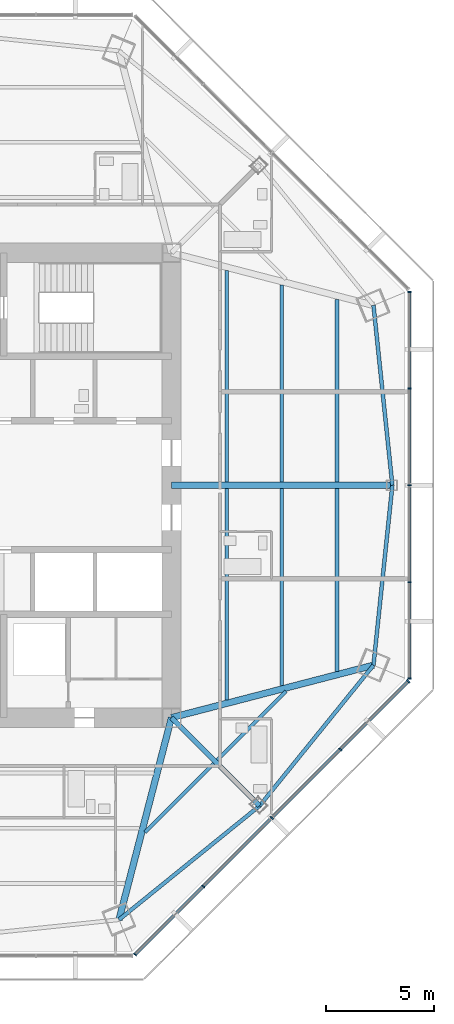
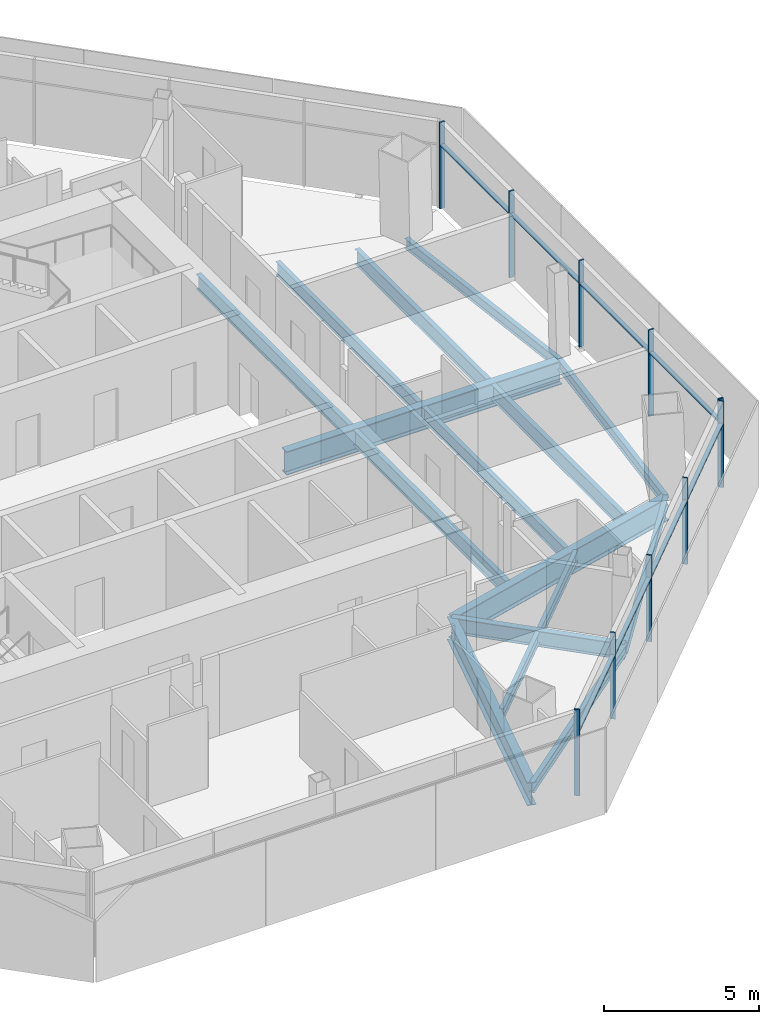
# One storey, part 4 of 16: 18 members, 16 beams, 2 elements without a shape of their own.
"""IFC4 building model written with IfcOpenShell, lengths in metres."""

import ifcopenshell
import ifcopenshell.guid

model = None  # the IFC model being written
_history = None  # IfcOwnerHistory: only IFC2X3 demands one
_inside = {}  # id of a spatial element -> (the spatial element, [elements in it])
_under = {}  # id of a project, library or spatial element -> (it, [spatial elements below it])
_declared = {}  # id of a project -> (the project, [libraries it declares])
_typed = {}  # id of a type object -> (the type object, [elements of that type])
_made_of = {}  # id of a material, layer set ... -> (it, [elements and type objects made of it])


def new_model(schema):
    """Start an empty IFC model of exactly this schema.

    Asked for "IFC4X3", IfcOpenShell would pick the latest addendum, in which some entities
    have other attributes; the version numbers below select the first issue.
    IFC2X3 requires an IfcOwnerHistory on every rooted entity: one is made here for all.
    """
    global model, _history
    if schema == "IFC4X3":
        model = ifcopenshell.file(schema_version=(4, 3, 0, 0))
    else:
        model = ifcopenshell.file(schema=schema)
    _inside.clear()
    _under.clear()
    _declared.clear()
    _typed.clear()
    _made_of.clear()
    _history = None
    if model.schema == "IFC2X3":
        org = make("IfcOrganization", Name="unknown")
        user = make(
            "IfcPersonAndOrganization",
            ThePerson=make("IfcPerson", FamilyName="unknown"),
            TheOrganization=org,
        )
        app = make(
            "IfcApplication",
            ApplicationDeveloper=org,
            Version="unknown",
            ApplicationFullName="unknown",
            ApplicationIdentifier="unknown",
        )
        _history = make(
            "IfcOwnerHistory",
            OwningUser=user,
            OwningApplication=app,
            ChangeAction="ADDED",
            CreationDate=0,
        )
    return model


def make(cls, **values):
    """One entity of the class cls with the attributes given. An attribute that is None is left unset."""
    return model.create_entity(
        cls, **{name: value for name, value in values.items() if value is not None}
    )


def rooted(cls, **values):
    """An entity with a GlobalId (a new one), such as an element, a storey or a relation."""
    return make(cls, GlobalId=ifcopenshell.guid.new(), OwnerHistory=_history, **values)


def si_unit(unit_type, name, prefix=None):
    """IfcSIUnit, for example si_unit("LENGTHUNIT", "METRE", prefix="MILLI")."""
    return make("IfcSIUnit", UnitType=unit_type, Prefix=prefix, Name=name)


def assignment(units):
    """IfcUnitAssignment: the units of a project."""
    return None if units is None else make("IfcUnitAssignment", Units=units)


def point(xyz):
    """IfcCartesianPoint."""
    return None if xyz is None else make("IfcCartesianPoint", Coordinates=xyz)


def direction(xyz):
    """IfcDirection."""
    return None if xyz is None else make("IfcDirection", DirectionRatios=xyz)


def frame(location, z_axis=None, x_axis=None):
    """IfcAxis2Placement3D, a coordinate frame: its origin and axes. An axis left out is left unset."""
    return make(
        "IfcAxis2Placement3D",
        Location=point(location),
        Axis=direction(z_axis),
        RefDirection=direction(x_axis),
    )


def frame_2d(location, x_axis=None):
    """IfcAxis2Placement2D, a coordinate frame in the plane: its origin and x axis."""
    return make(
        "IfcAxis2Placement2D", Location=point(location), RefDirection=direction(x_axis)
    )


def origin():
    """The frame at (0, 0, 0) with its axes left unset."""
    return frame((0.0, 0.0, 0.0))


def origin_2d():
    """The frame at (0, 0) in the plane with its x axis left unset."""
    return frame_2d((0.0, 0.0))


def place(relative_to, where):
    """IfcLocalPlacement: puts the frame where relative to a parent placement (None: the world)."""
    return make(
        "IfcLocalPlacement", PlacementRelTo=relative_to, RelativePlacement=where
    )


def context(
    kind, dimensions, precision=None, world=None, true_north=None, identifier=None
):
    """IfcGeometricRepresentationContext, for example the 3D "Model" context."""
    return make(
        "IfcGeometricRepresentationContext",
        ContextIdentifier=identifier,
        ContextType=kind,
        CoordinateSpaceDimension=dimensions,
        Precision=precision,
        WorldCoordinateSystem=world,
        TrueNorth=true_north,
    )


def subcontext(parent, identifier, kind, view, scale=None):
    """IfcGeometricRepresentationSubContext, for example "Body" below "Model"."""
    return make(
        "IfcGeometricRepresentationSubContext",
        ContextIdentifier=identifier,
        ContextType=kind,
        ParentContext=parent,
        TargetScale=scale,
        TargetView=view,
    )


def project(units=None, contexts=None):
    """IfcProject with its units and contexts."""
    return rooted(
        "IfcProject",
        Name="project",
        RepresentationContexts=contexts,
        UnitsInContext=assignment(units),
    )


def spatial(cls, under=None, at=None, **own):
    """A site, building, storey or space (cls), placed at a placement, below another one or the project."""
    s = rooted(cls, ObjectPlacement=at, **own)
    if under is not None:
        _under.setdefault(under.id(), (under, []))[1].append(s)
    return s


def profile(cls, at=None, kind="AREA", **sizes):
    """A parametric profile (cls). Its sizes go by their IFC names, for example OverallWidth=200.0."""
    return make(cls, ProfileType=kind, Position=at, **sizes)


def rectangle(**sizes):
    """IfcRectangleProfileDef."""
    return profile("IfcRectangleProfileDef", **sizes)


def i_section(**sizes):
    """IfcIShapeProfileDef."""
    return profile("IfcIShapeProfileDef", **sizes)


def extrude(swept, where, along, depth):
    """IfcExtrudedAreaSolid: the profile swept, set in the frame where, extruded along a direction by depth."""
    return make(
        "IfcExtrudedAreaSolid",
        SweptArea=swept,
        Position=where,
        ExtrudedDirection=direction(along),
        Depth=depth,
    )


def shape(context_of_items, identifier, shape_type, items):
    """IfcShapeRepresentation: the items that make up one representation, for example the "Body"."""
    return make(
        "IfcShapeRepresentation",
        ContextOfItems=context_of_items,
        RepresentationIdentifier=identifier,
        RepresentationType=shape_type,
        Items=items,
    )


def source(mapping_origin, context_of_items, identifier, shape_type, items):
    """IfcRepresentationMap: a shape defined once, which mapped items show again and again."""
    return make(
        "IfcRepresentationMap",
        MappingOrigin=mapping_origin,
        MappedRepresentation=shape(context_of_items, identifier, shape_type, items),
    )


def transform(
    local_origin,
    x_axis=None,
    y_axis=None,
    z_axis=None,
    scale=None,
    scale2=None,
    scale3=None,
    uniform=True,
):
    """IfcCartesianTransformationOperator3D, or its non-uniform kind. x_axis, y_axis, z_axis: its Axis1, 2, 3."""
    if uniform:
        return make(
            "IfcCartesianTransformationOperator3D",
            Axis1=direction(x_axis),
            Axis2=direction(y_axis),
            LocalOrigin=point(local_origin),
            Scale=scale,
            Axis3=direction(z_axis),
        )
    return make(
        "IfcCartesianTransformationOperator3DnonUniform",
        Axis1=direction(x_axis),
        Axis2=direction(y_axis),
        LocalOrigin=point(local_origin),
        Scale=scale,
        Axis3=direction(z_axis),
        Scale2=scale2,
        Scale3=scale3,
    )


def mapped(mapping_source, mapping_target):
    """IfcMappedItem: shows the shape of a source again, moved by a transform."""
    return make(
        "IfcMappedItem", MappingSource=mapping_source, MappingTarget=mapping_target
    )


def material(Name=None, Category=None):
    """IfcMaterial."""
    return make("IfcMaterial", Name=Name, Category=Category)


def material_profile(
    of_material, cross_section, Name=None, Category=None, Priority=None
):
    """IfcMaterialProfile: a cross section and its material."""
    return make(
        "IfcMaterialProfile",
        Name=Name,
        Material=of_material,
        Profile=cross_section,
        Priority=Priority,
        Category=Category,
    )


def profile_set(profiles, Name=None, composite=None):
    """IfcMaterialProfileSet."""
    return make(
        "IfcMaterialProfileSet",
        Name=Name,
        MaterialProfiles=profiles,
        CompositeProfile=composite,
    )


def made_of(thing, what):
    """Note that an element or type object is made of a material, layer set ...; save() writes the relation."""
    if what is not None:
        _made_of.setdefault(what.id(), (what, []))[1].append(thing)
    return thing


def type_object(cls, material=None, **own):
    """A type object (cls), such as IfcWallType, which elements share."""
    return made_of(rooted(cls, **own), material)


def type_shapes(of_type, sources):
    """Give a type object the sources (RepresentationMaps) that its elements show as mapped items."""
    of_type.RepresentationMaps = sources


def element(
    cls,
    number,
    at=None,
    inside=None,
    cuts=None,
    type_object=None,
    material=None,
    context=None,
    identifier="Body",
    shape_type=None,
    held_by="IfcProductDefinitionShape",
    body=None,
    shapes=None,
    **own,
):
    """One element of the class cls, such as IfcWall. Its Tag is "e" and its number.

    at: its placement. inside: the storey or other place that contains it. cuts: it is an
    opening in that element (IfcRelVoidsElement). A single representation is given by context,
    identifier, shape_type and body (its items); several are given by shapes. held_by: the class
    of the entity that holds the representations. save() writes the other relations.
    """
    e = rooted(cls, Tag="e%d" % number, ObjectPlacement=at, **own)
    if body is not None:
        shapes = [shape(context, identifier, shape_type, body)]
    if shapes is not None:
        e.Representation = make(held_by, Representations=shapes)
    if inside is not None:
        _inside.setdefault(inside.id(), (inside, []))[1].append(e)
    if cuts is not None:
        rooted(
            "IfcRelVoidsElement", RelatingBuildingElement=cuts, RelatedOpeningElement=e
        )
    if type_object is not None:
        _typed.setdefault(type_object.id(), (type_object, []))[1].append(e)
    return made_of(e, material)


def aggregate(whole, parts):
    """IfcRelAggregates: a whole, such as a stair, and the parts it consists of."""
    return rooted("IfcRelAggregates", RelatingObject=whole, RelatedObjects=parts)


def save(model, path):
    """Write the relations noted so far, then the file.

    IfcRelAggregates (storeys below a building ...), IfcRelContainedInSpatialStructure (elements
    in a storey), IfcRelDefinesByType, IfcRelAssociatesMaterial and IfcRelDeclares: one each for
    every whole, place, type object, material and project.
    """
    for whole, parts in _under.values():
        aggregate(whole, parts)
    for where, things in _inside.values():
        rooted(
            "IfcRelContainedInSpatialStructure",
            RelatedElements=things,
            RelatingStructure=where,
        )
    for kind, things in _typed.values():
        rooted("IfcRelDefinesByType", RelatedObjects=things, RelatingType=kind)
    for what, things in _made_of.values():
        rooted("IfcRelAssociatesMaterial", RelatedObjects=things, RelatingMaterial=what)
    for by, libraries in _declared.values():
        rooted("IfcRelDeclares", RelatingContext=by, RelatedDefinitions=libraries)
    model.write(path)


model = new_model("IFC4")

# Units and contexts
model_context = context("Model", 3, precision=1e-05, world=origin(), true_north=direction((0.0, 1.0)))
body_context = subcontext(model_context, "Body", "Model", "MODEL_VIEW")
ifc_project = project(units=[si_unit("LENGTHUNIT", "METRE"), si_unit("AREAUNIT", "SQUARE_METRE"), si_unit("VOLUMEUNIT", "CUBIC_METRE"), si_unit("PLANEANGLEUNIT", "RADIAN"), si_unit("MASSUNIT", "GRAM", prefix="KILO")], contexts=[model_context])

# Site, building, storey
site_placement = place(None, origin())
site = spatial("IfcSite", under=ifc_project, at=site_placement, CompositionType="ELEMENT")
building_placement = place(site_placement, origin())
building = spatial("IfcBuilding", under=site, at=building_placement, Name="Mashrafa Tower", CompositionType="ELEMENT")
storey_placement = place(building_placement, frame((0.0, 0.0, 217.60009765625)))
storey = spatial("IfcBuildingStorey", under=building, at=storey_placement, Name="L50", CompositionType="ELEMENT", Elevation=217.60009765625)

# Beams
ifc_material_1 = material(Name="Steel ASTM A992", Category="steel")
ifc_material_profile_1 = material_profile(ifc_material_1, i_section(OverallWidth=0.177734375, OverallDepth=0.406494140625, WebThickness=0.0078125, FlangeThickness=0.012939453125, FilletRadius=0.01025390625, at=origin_2d()), Name="W16X40")
ifc_profile_set_1 = profile_set([ifc_material_profile_1], Name="Steel ASTM A992")
beam_type_1 = type_object("IfcBeamType", Name="Beam W16X40", PredefinedType="BEAM", material=ifc_profile_set_1)
for number, where, z_axis, x_axis, name in (
    (1, (8.361572265625, -20.1865234375, -0.4033203125), (0.777098105922, 0.62937948312, 0.0), (-0.62937948312, 0.777098105922, 0.0), "Spandrel beam L50 058"),
    (2, (14.89501953125, -14.89501953125, -0.4033203125), (0.62937948312, 0.777098105922, 0.0), (-0.777098105922, 0.62937948312, 0.0), "Spandrel beam L50 060"),
    (3, (20.1865234375, -8.361572265625, -0.4033203125), (0.104450486912, 0.994530087923, 0.0), (-0.994530087923, 0.104450486912, 0.0), "Spandrel beam L50 062"),
    (4, (21.064697265625, 0.0, -0.4033203125), (-0.104450486912, 0.994530087923, 0.0), (-0.994530087923, -0.104450486912, 0.0), "Spandrel beam L50 064"),
):
    element("IfcBeam", number, at=place(storey_placement, frame(where, z_axis=z_axis, x_axis=x_axis)), inside=storey, type_object=beam_type_1, Name=name, PredefinedType="BEAM", context=body_context, shape_type="SweptSolid", body=[
        extrude(i_section(OverallWidth=0.177734375, OverallDepth=0.406494140625, WebThickness=0.0078125, FlangeThickness=0.012939453125, FilletRadius=0.01025390625, at=origin_2d()), origin(), (0.0, 0.0, 1.0), 8.407470703125),
    ])
ifc_material_2 = material(Name="Steel ASTM A992", Category="steel")
ifc_material_profile_2 = material_profile(ifc_material_2, i_section(OverallWidth=0.15234375, OverallDepth=0.449462890625, WebThickness=0.007568359375, FlangeThickness=0.0107421875, FilletRadius=0.01025390625, at=origin_2d()), Name="W18X35")
ifc_profile_set_2 = profile_set([ifc_material_profile_2], Name="Steel ASTM A992")
beam_type_2 = type_object("IfcBeamType", Name="Beam W18X35", PredefinedType="BEAM", material=ifc_profile_set_2)
for number, where, z_axis, x_axis, name in (
    (5, (12.7666015625, -12.928466796875, -0.4248046875), (-0.707106781187, -0.707106781187, 0.0), (0.707106781187, -0.707106781187, 0.0), "Floor beam L50 024"),
    (6, (16.119384765625, -9.57568359375, -0.4248046875), (-0.707106781187, -0.707106781187, 0.0), (0.707106781187, -0.707106781187, 0.0), "Floor beam L50 030"),
):
    element("IfcBeam", number, at=place(storey_placement, frame(where, z_axis=z_axis, x_axis=x_axis)), inside=storey, type_object=beam_type_2, Name=name, PredefinedType="BEAM", context=body_context, shape_type="SweptSolid", body=[
        extrude(i_section(OverallWidth=0.15234375, OverallDepth=0.449462890625, WebThickness=0.007568359375, FlangeThickness=0.0107421875, FilletRadius=0.01025390625, at=origin_2d()), origin(), (0.0, 0.0, 1.0), 4.5126953125),
    ])
ifc_material_3 = material(Name="Steel ASTM A992", Category="steel")
ifc_material_profile_3 = material_profile(ifc_material_3, i_section(OverallWidth=0.1650390625, OverallDepth=0.52587890625, WebThickness=0.0087890625, FlangeThickness=0.011474609375, FilletRadius=0.0126953125, at=origin_2d()), Name="W21X44")
ifc_profile_set_3 = profile_set([ifc_material_profile_3], Name="Steel ASTM A992")
beam_type_3 = type_object("IfcBeamType", Name="Beam W21X44", PredefinedType="BEAM", material=ifc_profile_set_3)
for number, where, z_axis, x_axis, name in (
    (7, (15.932373046875, -0.15380859375, -0.462890625), (0.0, -1.0, 0.0), (1.0, 0.0, 0.0), "Floor beam L50 028"),
    (8, (15.932373046875, 9.30908203125, -0.462890625), (0.0, -1.0, 0.0), (1.0, 0.0, 0.0), "Floor beam L50 029"),
):
    element("IfcBeam", number, at=place(storey_placement, frame(where, z_axis=z_axis, x_axis=x_axis)), inside=storey, type_object=beam_type_3, Name=name, PredefinedType="BEAM", context=body_context, shape_type="SweptSolid", body=[
        extrude(i_section(OverallWidth=0.1650390625, OverallDepth=0.52587890625, WebThickness=0.0087890625, FlangeThickness=0.011474609375, FilletRadius=0.0126953125, at=origin_2d()), origin(), (0.0, 0.0, 1.0), 9.1552734375),
    ])
ifc_material_4 = material(Name="Steel ASTM A992", Category="steel")
ifc_material_profile_4 = material_profile(ifc_material_4, i_section(OverallWidth=0.177978515625, OverallDepth=0.599365234375, WebThickness=0.010009765625, FlangeThickness=0.012939453125, FilletRadius=0.012939453125, at=origin_2d()), Name="W24X55")
ifc_profile_set_4 = profile_set([ifc_material_profile_4], Name="Steel ASTM A992")
beam_type_4 = type_object("IfcBeamType", Name="Beam W24X55", PredefinedType="BEAM", material=ifc_profile_set_4)
for number, where, z_axis, x_axis, name in (
    (9, (13.3662109375, -0.15380859375, -0.499755859375), (0.0, -1.0, 0.0), (1.0, 0.0, 0.0), "Floor beam L50 026"),
    (10, (13.3662109375, 9.975830078125, -0.499755859375), (0.0, -1.0, 0.0), (1.0, 0.0, 0.0), "Floor beam L50 027"),
):
    element("IfcBeam", number, at=place(storey_placement, frame(where, z_axis=z_axis, x_axis=x_axis)), inside=storey, type_object=beam_type_4, Name=name, PredefinedType="BEAM", context=body_context, shape_type="SweptSolid", body=[
        extrude(i_section(OverallWidth=0.177978515625, OverallDepth=0.599365234375, WebThickness=0.010009765625, FlangeThickness=0.012939453125, FilletRadius=0.012939453125, at=origin_2d()), origin(), (0.0, 0.0, 1.0), 9.822021484375),
    ])
for number, where, z_axis, x_axis, name in (
    (11, (18.49853515625, -0.15380859375, -0.499755859375), (0.0, -1.0, 0.0), (1.0, 0.0, 0.0), "Floor beam L50 031"),
    (12, (18.49853515625, 8.642578125, -0.499755859375), (0.0, -1.0, 0.0), (1.0, 0.0, 0.0), "Floor beam L50 032"),
):
    element("IfcBeam", number, at=place(storey_placement, frame(where, z_axis=z_axis, x_axis=x_axis)), inside=storey, type_object=beam_type_4, Name=name, PredefinedType="BEAM", context=body_context, shape_type="SweptSolid", body=[
        extrude(i_section(OverallWidth=0.177978515625, OverallDepth=0.599365234375, WebThickness=0.010009765625, FlangeThickness=0.012939453125, FilletRadius=0.012939453125, at=origin_2d()), origin(), (0.0, 0.0, 1.0), 8.48876953125),
    ])
ifc_material_5 = material(Name="Steel ASTM A992", Category="steel")
ifc_material_profile_5 = material_profile(ifc_material_5, i_section(OverallWidth=0.22900390625, OverallDepth=0.612060546875, WebThickness=0.011962890625, FlangeThickness=0.01953125, FilletRadius=0.0126953125, at=origin_2d()), Name="W24X84")
ifc_profile_set_5 = profile_set([ifc_material_profile_5], Name="Steel ASTM A992")
beam_type_5 = type_object("IfcBeamType", Name="Beam W24X84", PredefinedType="BEAM", material=ifc_profile_set_5)
beam_1_placement = place(storey_placement, frame((10.800048828125, -10.800048828125, -0.506103515625), z_axis=(0.707106781187, -0.707106781187, 0.0), x_axis=(0.707106781187, 0.707106781187, 0.0)))
element("IfcBeam", 13, at=beam_1_placement, inside=storey, type_object=beam_type_5, Name="Radial girder L50 043", PredefinedType="BEAM", context=body_context, shape_type="SweptSolid", body=[
    extrude(i_section(OverallWidth=0.22900390625, OverallDepth=0.612060546875, WebThickness=0.011962890625, FlangeThickness=0.01953125, FilletRadius=0.0126953125, at=origin_2d()), origin(), (0.0, 0.0, 1.0), 5.791259765625),
])
ifc_material_6 = material(Name="Steel ASTM A992", Category="steel")
ifc_material_profile_6 = material_profile(ifc_material_6, i_section(OverallWidth=0.3046875, OverallDepth=0.911865234375, WebThickness=0.015869140625, FlangeThickness=0.02392578125, FilletRadius=0.01904296875, at=origin_2d()), Name="W36X150")
ifc_profile_set_6 = profile_set([ifc_material_profile_6], Name="Steel ASTM A992")
beam_type_6 = type_object("IfcBeamType", Name="Beam W36X150", PredefinedType="BEAM", material=ifc_profile_set_6)
for number, where, z_axis, x_axis, name in (
    (14, (10.800048828125, -10.800048828125, -0.656005859375), (-0.251440017557, -0.967872882961, 0.0), (0.967872882961, -0.251440017557, 0.0), "Radial girder L50 042"),
    (15, (10.800048828125, -10.800048828125, -0.656005859375), (0.967872882961, 0.251440017557, 0.0), (-0.251440017557, 0.967872882961, 0.0), "Radial girder L50 044"),
):
    element("IfcBeam", number, at=place(storey_placement, frame(where, z_axis=z_axis, x_axis=x_axis)), inside=storey, type_object=beam_type_6, Name=name, PredefinedType="BEAM", context=body_context, shape_type="SweptSolid", body=[
        extrude(i_section(OverallWidth=0.3046875, OverallDepth=0.911865234375, WebThickness=0.015869140625, FlangeThickness=0.02392578125, FilletRadius=0.01904296875, at=origin_2d()), origin(), (0.0, 0.0, 1.0), 9.697998046875),
    ])
ifc_material_7 = material(Name="Steel ASTM A992", Category="steel")
ifc_material_profile_7 = material_profile(ifc_material_7, i_section(OverallWidth=0.307373046875, OverallDepth=0.927001953125, WebThickness=0.01953125, FlangeThickness=0.031982421875, FilletRadius=0.01904296875, at=origin_2d()), Name="W36X194")
ifc_profile_set_7 = profile_set([ifc_material_profile_7], Name="Steel ASTM A992")
beam_type_7 = type_object("IfcBeamType", Name="Beam W36X194", PredefinedType="BEAM", material=ifc_profile_set_7)
beam_2_placement = place(storey_placement, frame((10.800048828125, 0.0, -0.66357421875), z_axis=(1.0, 0.0, 0.0), x_axis=(0.0, 1.0, 0.0)))
element("IfcBeam", 16, at=beam_2_placement, inside=storey, type_object=beam_type_7, Name="Radial girder L50 045", PredefinedType="BEAM", context=body_context, shape_type="SweptSolid", body=[
    extrude(i_section(OverallWidth=0.307373046875, OverallDepth=0.927001953125, WebThickness=0.01953125, FlangeThickness=0.031982421875, FilletRadius=0.01904296875, at=origin_2d()), origin(), (0.0, 0.0, 1.0), 10.2646484375),
])

# Curtain wall, members
ifc_material_8 = material(Name="Unitised aluminium curtain wall", Category="aluminium")
curtain_wall_type = type_object("IfcCurtainWallType", Name="Apartment curtain wall, zone 3 CW-C 180 deep", PredefinedType="NOTDEFINED", material=ifc_material_8)
curtain_wall_1_placement = place(storey_placement, origin())
curtain_wall_1 = element("IfcCurtainWall", 17, at=curtain_wall_1_placement, inside=storey, type_object=curtain_wall_type, Name="Apartment curtain wall, zone 3 L50 east", PredefinedType="NOTDEFINED")
ifc_material_9 = material(Name="Extruded aluminium mullion", Category="aluminium")
ifc_material_profile_8 = material_profile(ifc_material_9, rectangle(XDim=0.179931640625, YDim=0.06005859375, at=origin_2d()), Name="Mullion 60x180")
ifc_profile_set_8 = profile_set([ifc_material_profile_8], Name="Extruded aluminium mullion")
member_type_1 = type_object("IfcMemberType", Name="Mullion CW-C 60 x 180", PredefinedType="MULLION", material=ifc_profile_set_8)
shared_shape_1 = source(origin(), body_context, "Body", "SweptSolid", [
    extrude(rectangle(XDim=0.179931640625, YDim=0.06005859375, at=origin_2d()), origin(), (0.0, 0.0, 1.0), 3.39990234375),
])
type_shapes(member_type_1, [shared_shape_1])
member_1_placement = place(storey_placement, frame((21.859130859375, -8.97705078125, 0.0), z_axis=(0.0, 0.0, 1.0), x_axis=(-1.0, 0.0, 0.0)))
member_1 = element("IfcMember", 18, at=member_1_placement, type_object=member_type_1, Name="CW-C mullion 1", PredefinedType="MULLION", context=body_context, shape_type="MappedRepresentation", body=[
    mapped(shared_shape_1, transform((0.0, 0.0, 0.0))),
])
member_2_placement = place(storey_placement, frame((21.859130859375, -4.50341796875, 0.0), z_axis=(0.0, 0.0, 1.0), x_axis=(-1.0, 0.0, 0.0)))
member_2 = element("IfcMember", 19, at=member_2_placement, type_object=member_type_1, Name="CW-C mullion 2", PredefinedType="MULLION", context=body_context, shape_type="MappedRepresentation", body=[
    mapped(shared_shape_1, transform((0.0, 0.0, 0.0))),
])
member_3_placement = place(storey_placement, frame((21.859130859375, 0.0, 0.0), z_axis=(0.0, 0.0, 1.0), x_axis=(-1.0, 0.0, 0.0)))
member_3 = element("IfcMember", 20, at=member_3_placement, type_object=member_type_1, Name="CW-C mullion 3", PredefinedType="MULLION", context=body_context, shape_type="MappedRepresentation", body=[
    mapped(shared_shape_1, transform((0.0, 0.0, 0.0))),
])
member_4_placement = place(storey_placement, frame((21.859130859375, 4.50341796875, 0.0), z_axis=(0.0, 0.0, 1.0), x_axis=(-1.0, 0.0, 0.0)))
member_4 = element("IfcMember", 21, at=member_4_placement, type_object=member_type_1, Name="CW-C mullion 4", PredefinedType="MULLION", context=body_context, shape_type="MappedRepresentation", body=[
    mapped(shared_shape_1, transform((0.0, 0.0, 0.0))),
])
member_5_placement = place(storey_placement, frame((21.859130859375, 8.97705078125, 0.0), z_axis=(0.0, 0.0, 1.0), x_axis=(-1.0, 0.0, 0.0)))
member_5 = element("IfcMember", 22, at=member_5_placement, type_object=member_type_1, Name="CW-C mullion 5", PredefinedType="MULLION", context=body_context, shape_type="MappedRepresentation", body=[
    mapped(shared_shape_1, transform((0.0, 0.0, 0.0))),
])

curtain_wall_2_placement = place(storey_placement, origin())
curtain_wall_2 = element("IfcCurtainWall", 23, at=curtain_wall_2_placement, inside=storey, type_object=curtain_wall_type, Name="Apartment curtain wall, zone 3 L50 south-east", PredefinedType="NOTDEFINED")
member_6_placement = place(storey_placement, frame((9.10888671875, -21.804443359375, 0.0), z_axis=(0.0, 0.0, 1.0), x_axis=(-0.707106781187, 0.707106781187, 0.0)))
member_6 = element("IfcMember", 24, at=member_6_placement, type_object=member_type_1, Name="CW-C mullion 1", PredefinedType="MULLION", context=body_context, shape_type="MappedRepresentation", body=[
    mapped(shared_shape_1, transform((0.0, 0.0, 0.0))),
])
member_7_placement = place(storey_placement, frame((12.272216796875, -18.64111328125, 0.0), z_axis=(0.0, 0.0, 1.0), x_axis=(-0.707106781187, 0.707106781187, 0.0)))
member_7 = element("IfcMember", 25, at=member_7_placement, type_object=member_type_1, Name="CW-C mullion 2", PredefinedType="MULLION", context=body_context, shape_type="MappedRepresentation", body=[
    mapped(shared_shape_1, transform((0.0, 0.0, 0.0))),
])
member_8_placement = place(storey_placement, frame((15.456787109375, -15.456787109375, 0.0), z_axis=(0.0, 0.0, 1.0), x_axis=(-0.707106781187, 0.707106781187, 0.0)))
member_8 = element("IfcMember", 26, at=member_8_placement, type_object=member_type_1, Name="CW-C mullion 3", PredefinedType="MULLION", context=body_context, shape_type="MappedRepresentation", body=[
    mapped(shared_shape_1, transform((0.0, 0.0, 0.0))),
])
member_9_placement = place(storey_placement, frame((18.64111328125, -12.272216796875, 0.0), z_axis=(0.0, 0.0, 1.0), x_axis=(-0.707106781187, 0.707106781187, 0.0)))
member_9 = element("IfcMember", 27, at=member_9_placement, type_object=member_type_1, Name="CW-C mullion 4", PredefinedType="MULLION", context=body_context, shape_type="MappedRepresentation", body=[
    mapped(shared_shape_1, transform((0.0, 0.0, 0.0))),
])
member_10_placement = place(storey_placement, frame((21.804443359375, -9.10888671875, 0.0), z_axis=(0.0, 0.0, 1.0), x_axis=(-0.707106781187, 0.707106781187, 0.0)))
member_10 = element("IfcMember", 28, at=member_10_placement, type_object=member_type_1, Name="CW-C mullion 5", PredefinedType="MULLION", context=body_context, shape_type="MappedRepresentation", body=[
    mapped(shared_shape_1, transform((0.0, 0.0, 0.0))),
])

# Member
ifc_material_10 = material(Name="Extruded aluminium transom", Category="aluminium")
ifc_material_profile_9 = material_profile(ifc_material_10, rectangle(XDim=0.14404296875, YDim=0.074951171875, at=origin_2d()), Name="Transom 75x144")
ifc_profile_set_9 = profile_set([ifc_material_profile_9], Name="Extruded aluminium transom")
member_type_2 = type_object("IfcMemberType", Name="Transom CW-C 75 x 144", PredefinedType="MULLION", material=ifc_profile_set_9)
shared_shape_2 = source(origin(), body_context, "Body", "SweptSolid", [
    extrude(rectangle(XDim=0.14404296875, YDim=0.074951171875, at=origin_2d()), origin(), (0.0, 0.0, 1.0), 4.41357421875),
])
member_11_placement = place(storey_placement, frame((21.859130859375, -8.947021484375, 2.5), z_axis=(0.0, 1.0, 0.0), x_axis=(-1.0, 0.0, 0.0)))
member_11 = element("IfcMember", 29, at=member_11_placement, type_object=member_type_2, Name="CW-C transom 1", PredefinedType="MULLION", context=body_context, shape_type="MappedRepresentation", body=[
    mapped(shared_shape_2, transform((0.0, 0.0, 0.0))),
])

member_12_placement = place(storey_placement, frame((21.859130859375, 4.533447265625, 2.5), z_axis=(0.0, 1.0, 0.0), x_axis=(-1.0, 0.0, 0.0)))
member_12 = element("IfcMember", 30, at=member_12_placement, type_object=member_type_2, Name="CW-C transom 4", PredefinedType="MULLION", context=body_context, shape_type="MappedRepresentation", body=[
    mapped(shared_shape_2, transform((0.0, 0.0, 0.0))),
])

member_13_placement = place(storey_placement, frame((9.130126953125, -21.783203125, 2.5), z_axis=(0.707106781187, 0.707106781187, 0.0), x_axis=(-0.707106781187, 0.707106781187, 0.0)))
member_13 = element("IfcMember", 31, at=member_13_placement, type_object=member_type_2, Name="CW-C transom 1", PredefinedType="MULLION", context=body_context, shape_type="MappedRepresentation", body=[
    mapped(shared_shape_2, transform((0.0, 0.0, 0.0))),
])

member_14_placement = place(storey_placement, frame((18.662353515625, -12.2509765625, 2.5), z_axis=(0.707106781187, 0.707106781187, 0.0), x_axis=(-0.707106781187, 0.707106781187, 0.0)))
member_14 = element("IfcMember", 32, at=member_14_placement, type_object=member_type_2, Name="CW-C transom 4", PredefinedType="MULLION", context=body_context, shape_type="MappedRepresentation", body=[
    mapped(shared_shape_2, transform((0.0, 0.0, 0.0))),
])

shared_shape_3 = source(origin(), body_context, "Body", "SweptSolid", [
    extrude(rectangle(XDim=0.14404296875, YDim=0.074951171875, at=origin_2d()), origin(), (0.0, 0.0, 1.0), 4.443603515625),
])
type_shapes(member_type_2, [shared_shape_2, shared_shape_3])
member_15_placement = place(storey_placement, frame((21.859130859375, -4.4736328125, 2.5), z_axis=(0.0, 1.0, 0.0), x_axis=(-1.0, 0.0, 0.0)))
member_15 = element("IfcMember", 33, at=member_15_placement, type_object=member_type_2, Name="CW-C transom 2", PredefinedType="MULLION", context=body_context, shape_type="MappedRepresentation", body=[
    mapped(shared_shape_3, transform((0.0, 0.0, 0.0))),
])

member_16_placement = place(storey_placement, frame((21.859130859375, 0.030029296875, 2.5), z_axis=(0.0, 1.0, 0.0), x_axis=(-1.0, 0.0, 0.0)))
member_16 = element("IfcMember", 34, at=member_16_placement, type_object=member_type_2, Name="CW-C transom 3", PredefinedType="MULLION", context=body_context, shape_type="MappedRepresentation", body=[
    mapped(shared_shape_3, transform((0.0, 0.0, 0.0))),
])

aggregate(curtain_wall_1, [member_1, member_2, member_3, member_4, member_5, member_11, member_15, member_16, member_12])

member_17_placement = place(storey_placement, frame((12.29345703125, -18.6201171875, 2.5), z_axis=(0.707106781187, 0.707106781187, 0.0), x_axis=(-0.707106781187, 0.707106781187, 0.0)))
member_17 = element("IfcMember", 35, at=member_17_placement, type_object=member_type_2, Name="CW-C transom 2", PredefinedType="MULLION", context=body_context, shape_type="MappedRepresentation", body=[
    mapped(shared_shape_3, transform((0.0, 0.0, 0.0))),
])

member_18_placement = place(storey_placement, frame((15.47802734375, -15.435546875, 2.5), z_axis=(0.707106781187, 0.707106781187, 0.0), x_axis=(-0.707106781187, 0.707106781187, 0.0)))
member_18 = element("IfcMember", 36, at=member_18_placement, type_object=member_type_2, Name="CW-C transom 3", PredefinedType="MULLION", context=body_context, shape_type="MappedRepresentation", body=[
    mapped(shared_shape_3, transform((0.0, 0.0, 0.0))),
])

aggregate(curtain_wall_2, [member_6, member_7, member_8, member_9, member_10, member_13, member_17, member_18, member_14])

save(model, "model.ifc")
